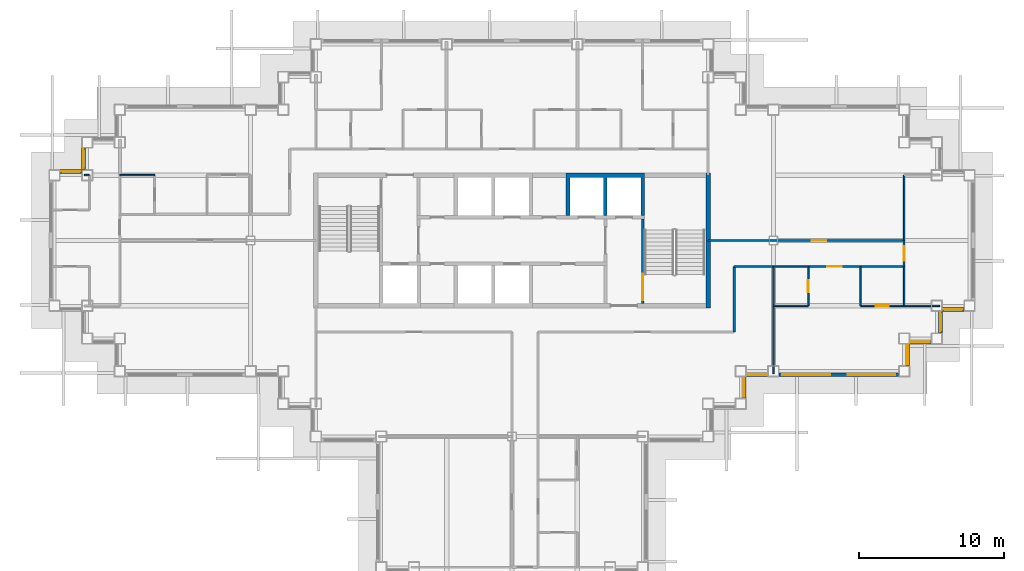
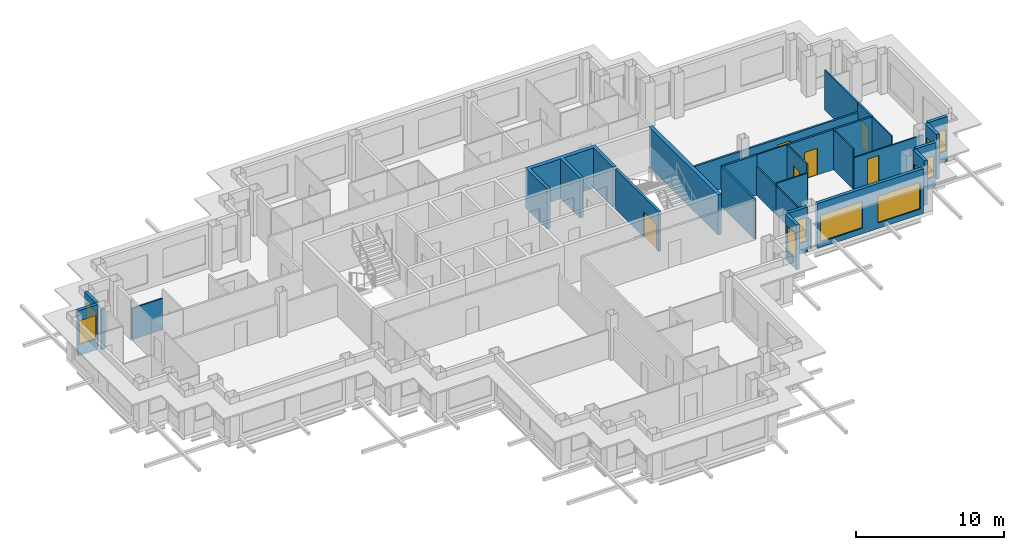
# One storey, part 6 of 14: 28 walls, 10 windows, 6 doors, 16 openings.
"""IFC4 building model written with IfcOpenShell, lengths in metres."""

from ifc_helpers import new_model, si_unit, direction, frame, frame_2d, origin, place, context, subcontext, project, spatial, polyline, rectangle, outline, extrude, material, layer, layer_set, type_object, element, fill, save


model = new_model("IFC4")

# Units and contexts
model_context = context("Model", 3, precision=1e-05, world=origin(), true_north=direction((0.0, 1.0)))
body_context = subcontext(model_context, "Body", "Model", "MODEL_VIEW")
ifc_project = project(units=[si_unit("LENGTHUNIT", "METRE"), si_unit("AREAUNIT", "SQUARE_METRE"), si_unit("VOLUMEUNIT", "CUBIC_METRE"), si_unit("PLANEANGLEUNIT", "RADIAN"), si_unit("MASSUNIT", "GRAM", prefix="KILO")], contexts=[model_context])

# Site, building, storey
site_placement = place(None, origin())
site = spatial("IfcSite", under=ifc_project, at=site_placement, CompositionType="ELEMENT")
building_placement = place(site_placement, origin())
building = spatial("IfcBuilding", under=site, at=building_placement, Name="Caravel Reach Hotel and Residences", CompositionType="ELEMENT")
storey_placement = place(building_placement, frame((0.0, 0.0, 183.89990234375)))
storey = spatial("IfcBuildingStorey", under=building, at=storey_placement, Name="L46", CompositionType="ELEMENT", Elevation=183.89990234375)

# Walls
ifc_material_1 = material(Name="Gypsum board on steel stud", Category="steel")
ifc_layer_1 = layer(ifc_material_1, 0.10009765625)
ifc_layer_set_1 = layer_set([ifc_layer_1], Name="Bathroom pod wall 100 mm")
wall_type_1 = type_object("IfcWallType", Name="Bathroom pod wall 100 mm", PredefinedType="PARTITIONING", material=ifc_layer_set_1)
wall_1_placement = place(storey_placement, frame((49.5, 22.5, 0.0), z_axis=(0.0, 0.0, 1.0), x_axis=(1.0, 0.0, 0.0)))
element("IfcWall", 1, at=wall_1_placement, inside=storey, type_object=wall_type_1, Name="L46 wall w072", PredefinedType="PARTITIONING", context=body_context, shape_type="SweptSolid", body=[
    extrude(rectangle(XDim=2.39990234375, YDim=0.10009765625, at=frame_2d((1.199951171875, 0.0))), origin(), (0.0, 0.0, 1.0), 2.580078125),
])
wall_2_placement = place(storey_placement, frame((49.5, 25.199951171875, 0.0), z_axis=(0.0, 0.0, 1.0), x_axis=(1.0, 0.0, 0.0)))
element("IfcWall", 2, at=wall_2_placement, inside=storey, type_object=wall_type_1, Name="L46 wall w073", PredefinedType="PARTITIONING", context=body_context, shape_type="SweptSolid", body=[
    extrude(rectangle(XDim=2.39990234375, YDim=0.10009765625, at=frame_2d((1.199951171875, 0.0))), origin(), (0.0, 0.0, 1.0), 3.300048828125),
])
wall_3_placement = place(storey_placement, frame((4.5, 31.5, 0.0), z_axis=(0.0, 0.0, 1.0), x_axis=(1.0, 0.0, 0.0)))
element("IfcWall", 3, at=wall_3_placement, inside=storey, type_object=wall_type_1, Name="L46 wall w076", PredefinedType="PARTITIONING", context=body_context, shape_type="SweptSolid", body=[
    extrude(rectangle(XDim=2.39990234375, YDim=0.10009765625, at=frame_2d((1.199951171875, 0.0))), origin(), (0.0, 0.0, 1.0), 2.580078125),
])
wall_4_placement = place(storey_placement, frame((49.5, 22.5, 0.0), z_axis=(0.0, 0.0, 1.0), x_axis=(0.0, 1.0, 0.0)))
element("IfcWall", 4, at=wall_4_placement, inside=storey, type_object=wall_type_1, Name="L46 wall w095", PredefinedType="PARTITIONING", context=body_context, shape_type="SweptSolid", body=[
    extrude(rectangle(XDim=2.698974609375, YDim=0.10009765625, at=frame_2d((1.349609375, 0.0))), origin(), (0.0, 0.0, 1.0), 2.3681640625),
])

# Wall, opening, door
wall_5_placement = place(storey_placement, frame((51.89990234375, 22.5, 0.0), z_axis=(0.0, 0.0, 1.0), x_axis=(0.0, 1.0, 0.0)))
wall_5 = element("IfcWall", 5, at=wall_5_placement, inside=storey, type_object=wall_type_1, Name="L46 wall w096", PredefinedType="PARTITIONING", context=body_context, shape_type="SweptSolid", body=[
    extrude(rectangle(XDim=2.699951171875, YDim=0.10009765625, at=frame_2d((1.35009765625, 0.0))), origin(), (0.0, 0.0, 1.0), 3.300048828125),
])
opening_1_placement = place(wall_5_placement, frame((0.949951171875, 0.0, 0.0)))
opening_1 = element("IfcOpeningElement", 6, at=opening_1_placement, cuts=wall_5, Name="Opening D46-033", PredefinedType="OPENING", context=body_context, shape_type="SweptSolid", body=[
    extrude(rectangle(XDim=0.800048828125, YDim=2.10009765625, at=frame_2d((0.39990234375, 1.050048828125))), frame((0.0, 0.06005859375, 0.0), z_axis=(0.0, -1.0, 0.0), x_axis=(1.0, 0.0, 0.0)), (0.0, 0.0, 1.0), 0.1201171875),
])
ifc_material_2 = material(Name="Timber and steel door leaf", Category="steel")
door_type_1 = type_object("IfcDoorType", Name="Bathroom door 800 x 2100", OperationType="SINGLE_SWING_LEFT", PredefinedType="DOOR", material=ifc_material_2)
door_1_placement = place(opening_1_placement, origin())
door_1 = element("IfcDoor", 7, at=door_1_placement, inside=storey, type_object=door_type_1, Name="door D46-033", OperationType="SINGLE_SWING_RIGHT", OverallHeight=2.10009765625, OverallWidth=0.800048828125, PredefinedType="DOOR", context=body_context, shape_type="SweptSolid", body=[
    extrude(rectangle(XDim=0.800048828125, YDim=2.10009765625, at=frame_2d((0.39990234375, 1.050048828125))), frame((0.0, 0.02490234375, 0.0), z_axis=(0.0, -1.0, 0.0), x_axis=(1.0, 0.0, 0.0)), (0.0, 0.0, 1.0), 0.050048828125),
])
fill(opening_1, door_1)

# Wall
ifc_material_3 = material(Name="Concrete C60", Category="concrete")
ifc_layer_2 = layer(ifc_material_3, 0.300048828125)
ifc_layer_set_2 = layer_set([ifc_layer_2], Name="Core wall 300 mm EI 120")
wall_type_2 = type_object("IfcWallType", Name="Core wall 300 mm EI 120", PredefinedType="SHEAR", material=ifc_layer_set_2)
wall_6_placement = place(storey_placement, frame((45.0, 22.35009765625, 0.0), z_axis=(0.0, 0.0, 1.0), x_axis=(0.0, 1.0, 0.0)))
element("IfcWall", 8, at=wall_6_placement, inside=storey, type_object=wall_type_2, Name="L46 core wall E", PredefinedType="SHEAR", context=body_context, shape_type="SweptSolid", body=[
    extrude(rectangle(XDim=9.2998046875, YDim=0.300048828125, at=frame_2d((4.64990234375, 0.0))), origin(), (0.0, 0.0, 1.0), 3.300048828125),
])

# Wall, opening, door
ifc_material_4 = material(Name="Gypsum board on steel stud, fire-rated", Category="steel")
ifc_layer_3 = layer(ifc_material_4, 0.14990234375)
ifc_layer_set_3 = layer_set([ifc_layer_3], Name="Corridor wall 150 mm EI 60")
wall_type_3 = type_object("IfcWallType", Name="Corridor wall 150 mm EI 60", PredefinedType="PARTITIONING", material=ifc_layer_set_3)
wall_7_placement = place(storey_placement, frame((51.89990234375, 25.199951171875, 0.0), z_axis=(0.0, 0.0, 1.0), x_axis=(1.0, 0.0, 0.0)))
wall_7 = element("IfcWall", 9, at=wall_7_placement, inside=storey, type_object=wall_type_3, Name="L46 wall w005", PredefinedType="PARTITIONING", context=body_context, shape_type="SweptSolid", body=[
    extrude(rectangle(XDim=6.60009765625, YDim=0.14990234375, at=frame_2d((3.300048828125, 0.0))), origin(), (0.0, 0.0, 1.0), 3.300048828125),
])
opening_2_placement = place(wall_7_placement, frame((1.300048828125, 0.0, 0.0)))
opening_2 = element("IfcOpeningElement", 10, at=opening_2_placement, cuts=wall_7, Name="Opening D46-032", PredefinedType="OPENING", context=body_context, shape_type="SweptSolid", body=[
    extrude(rectangle(XDim=1.0, YDim=2.199951171875, at=frame_2d((0.5, 1.10009765625))), frame((0.0, 0.0849609375, 0.0), z_axis=(0.0, -1.0, 0.0), x_axis=(1.0, 0.0, 0.0)), (0.0, 0.0, 1.0), 0.169921875),
])
ifc_material_5 = material(Name="Steel fire door leaf", Category="steel")
door_type_2 = type_object("IfcDoorType", Name="Flat entrance door 1000 x 2200 EI 60", OperationType="SINGLE_SWING_LEFT", PredefinedType="DOOR", material=ifc_material_5)
door_2_placement = place(opening_2_placement, origin())
door_2 = element("IfcDoor", 11, at=door_2_placement, inside=storey, type_object=door_type_2, Name="door D46-032", OperationType="SINGLE_SWING_RIGHT", OverallHeight=2.199951171875, OverallWidth=1.0, PredefinedType="DOOR", context=body_context, shape_type="SweptSolid", body=[
    extrude(rectangle(XDim=1.0, YDim=2.199951171875, at=frame_2d((0.5, 1.10009765625))), frame((0.0, 0.02490234375, 0.0), z_axis=(0.0, -1.0, 0.0), x_axis=(1.0, 0.0, 0.0)), (0.0, 0.0, 1.0), 0.050048828125),
])
fill(opening_2, door_2)

# Wall
wall_8_placement = place(storey_placement, frame((46.801025390625, 25.199951171875, 0.0), z_axis=(0.0, 0.0, 1.0), x_axis=(1.0, 0.0, 0.0)))
element("IfcWall", 12, at=wall_8_placement, inside=storey, type_object=wall_type_3, Name="L46 wall w007", PredefinedType="PARTITIONING", context=body_context, shape_type="SweptSolid", body=[
    extrude(rectangle(XDim=2.697998046875, YDim=0.14990234375, at=frame_2d((1.34912109375, 0.0))), origin(), (0.0, 0.0, 1.0), 3.300048828125),
])

# Wall, opening, door
wall_9_placement = place(storey_placement, frame((45.0, 27.0, 0.0), z_axis=(0.0, 0.0, 1.0), x_axis=(1.0, 0.0, 0.0)))
wall_9 = element("IfcWall", 13, at=wall_9_placement, inside=storey, type_object=wall_type_3, Name="L46 wall w009", PredefinedType="PARTITIONING", context=body_context, shape_type="SweptSolid", body=[
    extrude(rectangle(XDim=13.5, YDim=0.14990234375, at=frame_2d((6.75, 0.0))), origin(), (0.0, 0.0, 1.0), 2.580078125),
])
opening_3_placement = place(wall_9_placement, frame((7.14990234375, 0.0, 0.0)))
opening_3 = element("IfcOpeningElement", 14, at=opening_3_placement, cuts=wall_9, Name="Opening D46-031", PredefinedType="OPENING", context=body_context, shape_type="SweptSolid", body=[
    extrude(rectangle(XDim=1.0, YDim=2.10009765625, at=frame_2d((0.5, 1.050048828125))), frame((0.0, 0.0849609375, 0.0), z_axis=(0.0, -1.0, 0.0), x_axis=(1.0, 0.0, 0.0)), (0.0, 0.0, 1.0), 0.169921875),
])
ifc_material_6 = material(Name="Steel fire door leaf", Category="steel")
door_type_3 = type_object("IfcDoorType", Name="Fire door 1000 x 2100 EI 60", OperationType="SINGLE_SWING_LEFT", PredefinedType="DOOR", material=ifc_material_6)
door_3_placement = place(opening_3_placement, origin())
door_3 = element("IfcDoor", 15, at=door_3_placement, inside=storey, type_object=door_type_3, Name="door D46-031", OperationType="SINGLE_SWING_RIGHT", OverallHeight=2.10009765625, OverallWidth=1.0, PredefinedType="DOOR", context=body_context, shape_type="SweptSolid", body=[
    extrude(rectangle(XDim=1.0, YDim=2.10009765625, at=frame_2d((0.5, 1.050048828125))), frame((0.0, 0.02490234375, 0.0), z_axis=(0.0, -1.0, 0.0), x_axis=(1.0, 0.0, 0.0)), (0.0, 0.0, 1.0), 0.050048828125),
])
fill(opening_3, door_3)

# Wall
wall_10_placement = place(storey_placement, frame((46.800048828125, 20.699951171875, 0.0), z_axis=(0.0, 0.0, 1.0), x_axis=(0.0, 1.0, 0.0)))
element("IfcWall", 16, at=wall_10_placement, inside=storey, type_object=wall_type_3, Name="L46 wall w030", PredefinedType="PARTITIONING", context=body_context, shape_type="SweptSolid", body=[
    extrude(rectangle(XDim=4.4990234375, YDim=0.14990234375, at=frame_2d((2.24951171875, 0.0))), origin(), (0.0, 0.0, 1.0), 3.300048828125),
])

# Wall, opening, door
wall_11_placement = place(storey_placement, frame((58.5, 25.199951171875, 0.0), z_axis=(0.0, 0.0, 1.0), x_axis=(0.0, 1.0, 0.0)))
wall_11 = element("IfcWall", 17, at=wall_11_placement, inside=storey, type_object=wall_type_3, Name="L46 wall w031", PredefinedType="PARTITIONING", context=body_context, shape_type="SweptSolid", body=[
    extrude(rectangle(XDim=1.800048828125, YDim=0.14990234375, at=frame_2d((0.89990234375, 0.0))), origin(), (0.0, 0.0, 1.0), 3.300048828125),
])
opening_4_placement = place(wall_11_placement, frame((0.39990234375, 0.0, 0.0)))
opening_4 = element("IfcOpeningElement", 18, at=opening_4_placement, cuts=wall_11, Name="Opening D46-044", PredefinedType="OPENING", context=body_context, shape_type="SweptSolid", body=[
    extrude(rectangle(XDim=1.0, YDim=2.10009765625, at=frame_2d((0.5, 1.050048828125))), frame((0.0, 0.0849609375, 0.0), z_axis=(0.0, -1.0, 0.0), x_axis=(1.0, 0.0, 0.0)), (0.0, 0.0, 1.0), 0.169921875),
])
door_4_placement = place(opening_4_placement, origin())
door_4 = element("IfcDoor", 19, at=door_4_placement, inside=storey, type_object=door_type_3, Name="door D46-044", OperationType="SINGLE_SWING_LEFT", OverallHeight=2.10009765625, OverallWidth=1.0, PredefinedType="DOOR", context=body_context, shape_type="SweptSolid", body=[
    extrude(rectangle(XDim=1.0, YDim=2.10009765625, at=frame_2d((0.5, 1.050048828125))), frame((0.0, 0.02490234375, 0.0), z_axis=(0.0, -1.0, 0.0), x_axis=(1.0, 0.0, 0.0)), (0.0, 0.0, 1.0), 0.050048828125),
])
fill(opening_4, door_4)

# Wall, opening, window
ifc_material_7 = material(Name="Insulated rainscreen wall, aluminium cladding", Category="aluminium")
ifc_layer_4 = layer(ifc_material_7, 0.25)
ifc_layer_set_4 = layer_set([ifc_layer_4], Name="EW1 Tower rainscreen wall")
wall_type_4 = type_object("IfcWallType", Name="EW1 Tower rainscreen wall", PredefinedType="SOLIDWALL", material=ifc_layer_set_4)
wall_12_placement = place(storey_placement, frame((47.5, 16.125, 0.0), z_axis=(0.0, 0.0, 1.0), x_axis=(0.0, 1.0, 0.0)))
wall_12 = element("IfcWall", 20, at=wall_12_placement, inside=storey, type_object=wall_type_4, Name="External wall L46 E14.1", PredefinedType="SOLIDWALL", context=body_context, shape_type="SweptSolid", body=[
    extrude(rectangle(XDim=1.5, YDim=0.25, at=frame_2d((0.75, 0.0))), origin(), (0.0, 0.0, 1.0), 3.7001953125),
])
opening_5_placement = place(wall_12_placement, frame((0.10009765625, 0.0, 0.89990234375)))
opening_5 = element("IfcOpeningElement", 21, at=opening_5_placement, cuts=wall_12, Name="Opening WN17", PredefinedType="OPENING", context=body_context, shape_type="SweptSolid", body=[
    extrude(rectangle(XDim=1.300048828125, YDim=1.949951171875, at=frame_2d((0.64990234375, 0.97509765625))), frame((0.0, 0.135009765625, 0.0), z_axis=(0.0, -1.0, 0.0), x_axis=(1.0, 0.0, 0.0)), (0.0, 0.0, 1.0), 0.27001953125),
])
ifc_material_8 = material(Name="Dark low-e glazing in black aluminium frame", Category="aluminium")
window_type_1 = type_object("IfcWindowType", Name="Residence bedroom window 1300 x 1950", PartitioningType="SINGLE_PANEL", PredefinedType="WINDOW", material=ifc_material_8)
window_1_placement = place(opening_5_placement, origin())
window_1 = element("IfcWindow", 22, at=window_1_placement, inside=storey, type_object=window_type_1, Name="Window L46 E14.1.1", OverallHeight=1.949951171875, OverallWidth=1.300048828125, PartitioningType="SINGLE_PANEL", PredefinedType="WINDOW", context=body_context, shape_type="SweptSolid", body=[
    extrude(rectangle(XDim=1.300048828125, YDim=1.949951171875, at=frame_2d((0.64990234375, 0.97509765625))), frame((0.0, 0.030029296875, 0.0), z_axis=(0.0, -1.0, 0.0), x_axis=(1.0, 0.0, 0.0)), (0.0, 0.0, 1.0), 0.06005859375),
])
fill(opening_5, window_1)

wall_13_placement = place(storey_placement, frame((47.625, 17.75, 0.0), z_axis=(0.0, 0.0, 1.0), x_axis=(1.0, 0.0, 0.0)))
wall_13 = element("IfcWall", 23, at=wall_13_placement, inside=storey, type_object=wall_type_4, Name="External wall L46 S15.1", PredefinedType="SOLIDWALL", context=body_context, shape_type="SweptSolid", body=[
    extrude(rectangle(XDim=1.5, YDim=0.25, at=frame_2d((0.75, 0.0))), origin(), (0.0, 0.0, 1.0), 3.7001953125),
])
opening_6_placement = place(wall_13_placement, frame((0.10009765625, 0.0, 0.89990234375)))
opening_6 = element("IfcOpeningElement", 24, at=opening_6_placement, cuts=wall_13, Name="Opening WN17", PredefinedType="OPENING", context=body_context, shape_type="SweptSolid", body=[
    extrude(rectangle(XDim=1.300048828125, YDim=1.949951171875, at=frame_2d((0.64990234375, 0.97509765625))), frame((0.0, 0.135009765625, 0.0), z_axis=(0.0, -1.0, 0.0), x_axis=(1.0, 0.0, 0.0)), (0.0, 0.0, 1.0), 0.27001953125),
])
window_2_placement = place(opening_6_placement, origin())
window_2 = element("IfcWindow", 25, at=window_2_placement, inside=storey, type_object=window_type_1, Name="Window L46 S15.1.1", OverallHeight=1.949951171875, OverallWidth=1.300048828125, PartitioningType="SINGLE_PANEL", PredefinedType="WINDOW", context=body_context, shape_type="SweptSolid", body=[
    extrude(rectangle(XDim=1.300048828125, YDim=1.949951171875, at=frame_2d((0.64990234375, 0.97509765625))), frame((0.0, 0.030029296875, 0.0), z_axis=(0.0, -1.0, 0.0), x_axis=(1.0, 0.0, 0.0)), (0.0, 0.0, 1.0), 0.06005859375),
])
fill(opening_6, window_2)

# Wall, openings, windows
wall_14_placement = place(storey_placement, frame((49.875, 17.75, 0.0), z_axis=(0.0, 0.0, 1.0), x_axis=(1.0, 0.0, 0.0)))
wall_14 = element("IfcWall", 26, at=wall_14_placement, inside=storey, type_object=wall_type_4, Name="External wall L46 S15.2", PredefinedType="SOLIDWALL", context=body_context, shape_type="SweptSolid", body=[
    extrude(rectangle(XDim=8.25, YDim=0.25, at=frame_2d((4.125, 0.0))), origin(), (0.0, 0.0, 1.0), 3.7001953125),
])
opening_7_placement = place(wall_14_placement, frame((0.22509765625, 0.0, 0.449951171875)))
opening_7 = element("IfcOpeningElement", 27, at=opening_7_placement, cuts=wall_14, Name="Opening WN19", PredefinedType="OPENING", context=body_context, shape_type="SweptSolid", body=[
    extrude(rectangle(XDim=3.300048828125, YDim=2.199951171875, at=frame_2d((1.64990234375, 1.10009765625))), frame((0.0, 0.135009765625, 0.0), z_axis=(0.0, -1.0, 0.0), x_axis=(1.0, 0.0, 0.0)), (0.0, 0.0, 1.0), 0.27001953125),
])
opening_8_placement = place(wall_14_placement, frame((4.72509765625, 0.0, 0.449951171875)))
opening_8 = element("IfcOpeningElement", 28, at=opening_8_placement, cuts=wall_14, Name="Opening WN19", PredefinedType="OPENING", context=body_context, shape_type="SweptSolid", body=[
    extrude(rectangle(XDim=3.300048828125, YDim=2.199951171875, at=frame_2d((1.64990234375, 1.10009765625))), frame((0.0, 0.135009765625, 0.0), z_axis=(0.0, -1.0, 0.0), x_axis=(1.0, 0.0, 0.0)), (0.0, 0.0, 1.0), 0.27001953125),
])
ifc_material_9 = material(Name="Dark low-e glazing in black aluminium frame", Category="aluminium")
window_type_2 = type_object("IfcWindowType", Name="Residence living window 3300 x 2200", PartitioningType="SINGLE_PANEL", PredefinedType="WINDOW", material=ifc_material_9)
window_3_placement = place(opening_7_placement, origin())
window_3 = element("IfcWindow", 29, at=window_3_placement, inside=storey, type_object=window_type_2, Name="Window L46 S15.2.1", OverallHeight=2.199951171875, OverallWidth=3.300048828125, PartitioningType="SINGLE_PANEL", PredefinedType="WINDOW", context=body_context, shape_type="SweptSolid", body=[
    extrude(rectangle(XDim=3.300048828125, YDim=2.199951171875, at=frame_2d((1.64990234375, 1.10009765625))), frame((0.0, 0.030029296875, 0.0), z_axis=(0.0, -1.0, 0.0), x_axis=(1.0, 0.0, 0.0)), (0.0, 0.0, 1.0), 0.06005859375),
])
fill(opening_7, window_3)
window_4_placement = place(opening_8_placement, origin())
window_4 = element("IfcWindow", 30, at=window_4_placement, inside=storey, type_object=window_type_2, Name="Window L46 S15.2.2", OverallHeight=2.199951171875, OverallWidth=3.300048828125, PartitioningType="SINGLE_PANEL", PredefinedType="WINDOW", context=body_context, shape_type="SweptSolid", body=[
    extrude(rectangle(XDim=3.300048828125, YDim=2.199951171875, at=frame_2d((1.64990234375, 1.10009765625))), frame((0.0, 0.030029296875, 0.0), z_axis=(0.0, -1.0, 0.0), x_axis=(1.0, 0.0, 0.0)), (0.0, 0.0, 1.0), 0.06005859375),
])
fill(opening_8, window_4)

# Wall, opening, window
wall_15_placement = place(storey_placement, frame((58.75, 18.375, 0.0), z_axis=(0.0, 0.0, 1.0), x_axis=(0.0, 1.0, 0.0)))
wall_15 = element("IfcWall", 31, at=wall_15_placement, inside=storey, type_object=wall_type_4, Name="External wall L46 E16.1", PredefinedType="SOLIDWALL", context=body_context, shape_type="SweptSolid", body=[
    extrude(rectangle(XDim=1.5, YDim=0.25, at=frame_2d((0.75, 0.0))), origin(), (0.0, 0.0, 1.0), 3.7001953125),
])
opening_9_placement = place(wall_15_placement, frame((0.10009765625, 0.0, 0.89990234375)))
opening_9 = element("IfcOpeningElement", 32, at=opening_9_placement, cuts=wall_15, Name="Opening WN20", PredefinedType="OPENING", context=body_context, shape_type="SweptSolid", body=[
    extrude(rectangle(XDim=1.300048828125, YDim=1.75, at=frame_2d((0.64990234375, 0.875))), frame((0.0, 0.135009765625, 0.0), z_axis=(0.0, -1.0, 0.0), x_axis=(1.0, 0.0, 0.0)), (0.0, 0.0, 1.0), 0.27001953125),
])
ifc_material_10 = material(Name="Dark low-e glazing in black aluminium frame", Category="aluminium")
window_type_3 = type_object("IfcWindowType", Name="Residence bedroom window 1300 x 1750", PartitioningType="SINGLE_PANEL", PredefinedType="WINDOW", material=ifc_material_10)
window_5_placement = place(opening_9_placement, origin())
window_5 = element("IfcWindow", 33, at=window_5_placement, inside=storey, type_object=window_type_3, Name="Window L46 E16.1.1", OverallHeight=1.75, OverallWidth=1.300048828125, PartitioningType="SINGLE_PANEL", PredefinedType="WINDOW", context=body_context, shape_type="SweptSolid", body=[
    extrude(rectangle(XDim=1.300048828125, YDim=1.75, at=frame_2d((0.64990234375, 0.875))), frame((0.0, 0.030029296875, 0.0), z_axis=(0.0, -1.0, 0.0), x_axis=(1.0, 0.0, 0.0)), (0.0, 0.0, 1.0), 0.06005859375),
])
fill(opening_9, window_5)

wall_16_placement = place(storey_placement, frame((58.875, 20.0, 0.0), z_axis=(0.0, 0.0, 1.0), x_axis=(1.0, 0.0, 0.0)))
wall_16 = element("IfcWall", 34, at=wall_16_placement, inside=storey, type_object=wall_type_4, Name="External wall L46 S17.1", PredefinedType="SOLIDWALL", context=body_context, shape_type="SweptSolid", body=[
    extrude(rectangle(XDim=1.5, YDim=0.25, at=frame_2d((0.75, 0.0))), origin(), (0.0, 0.0, 1.0), 3.7001953125),
])
opening_10_placement = place(wall_16_placement, frame((0.10009765625, 0.0, 0.89990234375)))
opening_10 = element("IfcOpeningElement", 35, at=opening_10_placement, cuts=wall_16, Name="Opening WN20", PredefinedType="OPENING", context=body_context, shape_type="SweptSolid", body=[
    extrude(rectangle(XDim=1.300048828125, YDim=1.75, at=frame_2d((0.64990234375, 0.875))), frame((0.0, 0.135009765625, 0.0), z_axis=(0.0, -1.0, 0.0), x_axis=(1.0, 0.0, 0.0)), (0.0, 0.0, 1.0), 0.27001953125),
])
window_6_placement = place(opening_10_placement, origin())
window_6 = element("IfcWindow", 36, at=window_6_placement, inside=storey, type_object=window_type_3, Name="Window L46 S17.1.1", OverallHeight=1.75, OverallWidth=1.300048828125, PartitioningType="SINGLE_PANEL", PredefinedType="WINDOW", context=body_context, shape_type="SweptSolid", body=[
    extrude(rectangle(XDim=1.300048828125, YDim=1.75, at=frame_2d((0.64990234375, 0.875))), frame((0.0, 0.030029296875, 0.0), z_axis=(0.0, -1.0, 0.0), x_axis=(1.0, 0.0, 0.0)), (0.0, 0.0, 1.0), 0.06005859375),
])
fill(opening_10, window_6)

wall_17_placement = place(storey_placement, frame((61.0, 20.625, 0.0), z_axis=(0.0, 0.0, 1.0), x_axis=(0.0, 1.0, 0.0)))
wall_17 = element("IfcWall", 37, at=wall_17_placement, inside=storey, type_object=wall_type_4, Name="External wall L46 E18.1", PredefinedType="SOLIDWALL", context=body_context, shape_type="SweptSolid", body=[
    extrude(rectangle(XDim=1.5, YDim=0.25, at=frame_2d((0.75, 0.0))), origin(), (0.0, 0.0, 1.0), 3.7001953125),
])
opening_11_placement = place(wall_17_placement, frame((0.10009765625, 0.0, 0.89990234375)))
opening_11 = element("IfcOpeningElement", 38, at=opening_11_placement, cuts=wall_17, Name="Opening WN20", PredefinedType="OPENING", context=body_context, shape_type="SweptSolid", body=[
    extrude(rectangle(XDim=1.300048828125, YDim=1.75, at=frame_2d((0.64990234375, 0.875))), frame((0.0, 0.135009765625, 0.0), z_axis=(0.0, -1.0, 0.0), x_axis=(1.0, 0.0, 0.0)), (0.0, 0.0, 1.0), 0.27001953125),
])
window_7_placement = place(opening_11_placement, origin())
window_7 = element("IfcWindow", 39, at=window_7_placement, inside=storey, type_object=window_type_3, Name="Window L46 E18.1.1", OverallHeight=1.75, OverallWidth=1.300048828125, PartitioningType="SINGLE_PANEL", PredefinedType="WINDOW", context=body_context, shape_type="SweptSolid", body=[
    extrude(rectangle(XDim=1.300048828125, YDim=1.75, at=frame_2d((0.64990234375, 0.875))), frame((0.0, 0.030029296875, 0.0), z_axis=(0.0, -1.0, 0.0), x_axis=(1.0, 0.0, 0.0)), (0.0, 0.0, 1.0), 0.06005859375),
])
fill(opening_11, window_7)

wall_18_placement = place(storey_placement, frame((61.125, 22.25, 0.0), z_axis=(0.0, 0.0, 1.0), x_axis=(1.0, 0.0, 0.0)))
wall_18 = element("IfcWall", 40, at=wall_18_placement, inside=storey, type_object=wall_type_4, Name="External wall L46 S19.1", PredefinedType="SOLIDWALL", context=body_context, shape_type="SweptSolid", body=[
    extrude(rectangle(XDim=1.5, YDim=0.25, at=frame_2d((0.75, 0.0))), origin(), (0.0, 0.0, 1.0), 3.7001953125),
])
opening_12_placement = place(wall_18_placement, frame((0.10009765625, 0.0, 0.89990234375)))
opening_12 = element("IfcOpeningElement", 41, at=opening_12_placement, cuts=wall_18, Name="Opening WN20", PredefinedType="OPENING", context=body_context, shape_type="SweptSolid", body=[
    extrude(rectangle(XDim=1.300048828125, YDim=1.75, at=frame_2d((0.64990234375, 0.875))), frame((0.0, 0.135009765625, 0.0), z_axis=(0.0, -1.0, 0.0), x_axis=(1.0, 0.0, 0.0)), (0.0, 0.0, 1.0), 0.27001953125),
])
window_8_placement = place(opening_12_placement, origin())
window_8 = element("IfcWindow", 42, at=window_8_placement, inside=storey, type_object=window_type_3, Name="Window L46 S19.1.1", OverallHeight=1.75, OverallWidth=1.300048828125, PartitioningType="SINGLE_PANEL", PredefinedType="WINDOW", context=body_context, shape_type="SweptSolid", body=[
    extrude(rectangle(XDim=1.300048828125, YDim=1.75, at=frame_2d((0.64990234375, 0.875))), frame((0.0, 0.030029296875, 0.0), z_axis=(0.0, -1.0, 0.0), x_axis=(1.0, 0.0, 0.0)), (0.0, 0.0, 1.0), 0.06005859375),
])
fill(opening_12, window_8)

wall_19_placement = place(storey_placement, frame((2.0, 33.375, 0.0), z_axis=(0.0, 0.0, 1.0), x_axis=(0.0, -1.0, 0.0)))
wall_19 = element("IfcWall", 43, at=wall_19_placement, inside=storey, type_object=wall_type_4, Name="External wall L46 W36.1", PredefinedType="SOLIDWALL", context=body_context, shape_type="SweptSolid", body=[
    extrude(rectangle(XDim=1.5, YDim=0.25, at=frame_2d((0.75, 0.0))), origin(), (0.0, 0.0, 1.0), 3.7001953125),
])
opening_13_placement = place(wall_19_placement, frame((0.10009765625, 0.0, 0.89990234375)))
opening_13 = element("IfcOpeningElement", 44, at=opening_13_placement, cuts=wall_19, Name="Opening WN17", PredefinedType="OPENING", context=body_context, shape_type="SweptSolid", body=[
    extrude(rectangle(XDim=1.300048828125, YDim=1.949951171875, at=frame_2d((0.64990234375, 0.97509765625))), frame((0.0, 0.135009765625, 0.0), z_axis=(0.0, -1.0, 0.0), x_axis=(1.0, 0.0, 0.0)), (0.0, 0.0, 1.0), 0.27001953125),
])
window_9_placement = place(opening_13_placement, origin())
window_9 = element("IfcWindow", 45, at=window_9_placement, inside=storey, type_object=window_type_1, Name="Window L46 W36.1.1", OverallHeight=1.949951171875, OverallWidth=1.300048828125, PartitioningType="SINGLE_PANEL", PredefinedType="WINDOW", context=body_context, shape_type="SweptSolid", body=[
    extrude(rectangle(XDim=1.300048828125, YDim=1.949951171875, at=frame_2d((0.64990234375, 0.97509765625))), frame((0.0, 0.030029296875, 0.0), z_axis=(0.0, -1.0, 0.0), x_axis=(1.0, 0.0, 0.0)), (0.0, 0.0, 1.0), 0.06005859375),
])
fill(opening_13, window_9)

wall_20_placement = place(storey_placement, frame((1.875, 31.75, 0.0), z_axis=(0.0, 0.0, 1.0), x_axis=(-1.0, 0.0, 0.0)))
wall_20 = element("IfcWall", 46, at=wall_20_placement, inside=storey, type_object=wall_type_4, Name="External wall L46 N37.1", PredefinedType="SOLIDWALL", context=body_context, shape_type="SweptSolid", body=[
    extrude(rectangle(XDim=1.5, YDim=0.25, at=frame_2d((0.75, 0.0))), origin(), (0.0, 0.0, 1.0), 3.7001953125),
])
opening_14_placement = place(wall_20_placement, frame((0.10009765625, 0.0, 0.89990234375)))
opening_14 = element("IfcOpeningElement", 47, at=opening_14_placement, cuts=wall_20, Name="Opening WN17", PredefinedType="OPENING", context=body_context, shape_type="SweptSolid", body=[
    extrude(rectangle(XDim=1.300048828125, YDim=1.949951171875, at=frame_2d((0.64990234375, 0.97509765625))), frame((0.0, 0.135009765625, 0.0), z_axis=(0.0, -1.0, 0.0), x_axis=(1.0, 0.0, 0.0)), (0.0, 0.0, 1.0), 0.27001953125),
])
window_10_placement = place(opening_14_placement, origin())
window_10 = element("IfcWindow", 48, at=window_10_placement, inside=storey, type_object=window_type_1, Name="Window L46 N37.1.1", OverallHeight=1.949951171875, OverallWidth=1.300048828125, PartitioningType="SINGLE_PANEL", PredefinedType="WINDOW", context=body_context, shape_type="SweptSolid", body=[
    extrude(rectangle(XDim=1.300048828125, YDim=1.949951171875, at=frame_2d((0.64990234375, 0.97509765625))), frame((0.0, 0.030029296875, 0.0), z_axis=(0.0, -1.0, 0.0), x_axis=(1.0, 0.0, 0.0)), (0.0, 0.0, 1.0), 0.06005859375),
])
fill(opening_14, window_10)

# Wall, opening, door
ifc_material_11 = material(Name="Gypsum board on steel stud", Category="steel")
ifc_layer_5 = layer(ifc_material_11, 0.10009765625)
ifc_layer_set_5 = layer_set([ifc_layer_5], Name="Partition 100 mm")
wall_type_5 = type_object("IfcWallType", Name="Partition 100 mm", PredefinedType="PARTITIONING", material=ifc_layer_set_5)
wall_21_placement = place(storey_placement, frame((55.5, 22.5, 0.0), z_axis=(0.0, 0.0, 1.0), x_axis=(1.0, 0.0, 0.0)))
wall_21 = element("IfcWall", 49, at=wall_21_placement, inside=storey, type_object=wall_type_5, Name="L46 wall w037", PredefinedType="PARTITIONING", context=body_context, shape_type="SweptSolid", body=[
    extrude(rectangle(XDim=5.43994140625, YDim=0.10009765625, at=frame_2d((2.719970703125, 0.0))), origin(), (0.0, 0.0, 1.0), 2.580078125),
])
opening_15_placement = place(wall_21_placement, frame((1.050048828125, 0.0, 0.0)))
opening_15 = element("IfcOpeningElement", 50, at=opening_15_placement, cuts=wall_21, Name="Opening D46-034", PredefinedType="OPENING", context=body_context, shape_type="SweptSolid", body=[
    extrude(rectangle(XDim=0.89990234375, YDim=2.10009765625, at=frame_2d((0.449951171875, 1.050048828125))), frame((0.0, 0.06005859375, 0.0), z_axis=(0.0, -1.0, 0.0), x_axis=(1.0, 0.0, 0.0)), (0.0, 0.0, 1.0), 0.1201171875),
])
ifc_material_12 = material(Name="Timber and steel door leaf", Category="steel")
door_type_4 = type_object("IfcDoorType", Name="Door 900 x 2100 timber", OperationType="SINGLE_SWING_LEFT", PredefinedType="DOOR", material=ifc_material_12)
door_5_placement = place(opening_15_placement, origin())
door_5 = element("IfcDoor", 51, at=door_5_placement, inside=storey, type_object=door_type_4, Name="door D46-034", OperationType="SINGLE_SWING_LEFT", OverallHeight=2.10009765625, OverallWidth=0.89990234375, PredefinedType="DOOR", context=body_context, shape_type="SweptSolid", body=[
    extrude(rectangle(XDim=0.89990234375, YDim=2.10009765625, at=frame_2d((0.449951171875, 1.050048828125))), frame((0.0, 0.02490234375, 0.0), z_axis=(0.0, -1.0, 0.0), x_axis=(1.0, 0.0, 0.0)), (0.0, 0.0, 1.0), 0.050048828125),
])
fill(opening_15, door_5)

# Walls
wall_22_placement = place(storey_placement, frame((2.06005859375, 31.5, 0.0), z_axis=(0.0, 0.0, 1.0), x_axis=(1.0, 0.0, 0.0)))
element("IfcWall", 52, at=wall_22_placement, inside=storey, type_object=wall_type_5, Name="L46 wall w042", PredefinedType="PARTITIONING", context=body_context, shape_type="SweptSolid", body=[
    extrude(rectangle(XDim=0.33984375, YDim=0.10009765625, at=frame_2d((0.169921875, 0.0))), origin(), (0.0, 0.0, 1.0), 3.300048828125),
])
wall_23_placement = place(storey_placement, frame((49.5, 17.81005859375, 0.0), z_axis=(0.0, 0.0, 1.0), x_axis=(0.0, 1.0, 0.0)))
element("IfcWall", 53, at=wall_23_placement, inside=storey, type_object=wall_type_5, Name="L46 wall w063", PredefinedType="PARTITIONING", context=body_context, shape_type="SweptSolid", body=[
    extrude(rectangle(XDim=4.68994140625, YDim=0.10009765625, at=frame_2d((2.344970703125, 0.0))), origin(), (0.0, 0.0, 1.0), 2.3681640625),
])
wall_24_placement = place(storey_placement, frame((55.5, 22.5, 0.0), z_axis=(0.0, 0.0, 1.0), x_axis=(0.0, 1.0, 0.0)))
element("IfcWall", 54, at=wall_24_placement, inside=storey, type_object=wall_type_5, Name="L46 wall w064", PredefinedType="PARTITIONING", context=body_context, shape_type="SweptSolid", body=[
    extrude(rectangle(XDim=2.699951171875, YDim=0.10009765625, at=frame_2d((1.35009765625, 0.0))), origin(), (0.0, 0.0, 1.0), 3.300048828125),
])
wall_25_placement = place(storey_placement, frame((58.5, 27.0, 0.0), z_axis=(0.0, 0.0, 1.0), x_axis=(0.0, 1.0, 0.0)))
element("IfcWall", 55, at=wall_25_placement, inside=storey, type_object=wall_type_5, Name="L46 wall w065", PredefinedType="PARTITIONING", context=body_context, shape_type="SweptSolid", body=[
    extrude(rectangle(XDim=4.5, YDim=0.10009765625, at=frame_2d((2.25, 0.0))), origin(), (0.0, 0.0, 1.0), 3.300048828125),
])
wall_26_placement = place(storey_placement, frame((58.5, 22.5, 0.0), z_axis=(0.0, 0.0, 1.0), x_axis=(0.0, 1.0, 0.0)))
element("IfcWall", 56, at=wall_26_placement, inside=storey, type_object=wall_type_5, Name="L46 wall w066", PredefinedType="PARTITIONING", context=body_context, shape_type="SweptSolid", body=[
    extrude(rectangle(XDim=2.699951171875, YDim=0.10009765625, at=frame_2d((1.35009765625, 0.0))), origin(), (0.0, 0.0, 1.0), 3.300048828125),
])
ifc_material_13 = material(Name="Concrete C60", Category="concrete")
ifc_layer_6 = layer(ifc_material_13, 0.25)
ifc_layer_set_6 = layer_set([ifc_layer_6], Name="Shaft wall 250 mm EI 120")
wall_type_6 = type_object("IfcWallType", Name="Shaft wall 250 mm EI 120", PredefinedType="SHEAR", material=ifc_layer_set_6)
wall_27_placement = place(storey_placement, origin())
element("IfcWall", 57, at=wall_27_placement, inside=storey, type_object=wall_type_6, Name="L46 lift shaft wall N2", PredefinedType="SHEAR", context=body_context, shape_type="SweptSolid", body=[
    extrude(outline(polyline([(35.232177734375, 28.72509765625), (35.482177734375, 28.72509765625), (35.482177734375, 31.35009765625), (37.803466796875, 31.35009765625), (37.803466796875, 28.72509765625), (38.053466796875, 28.72509765625), (38.053466796875, 31.35009765625), (40.375, 31.35009765625), (40.375, 28.72509765625), (40.625, 28.72509765625), (40.625, 31.64990234375), (35.232177734375, 31.64990234375), (35.232177734375, 28.72509765625)])), origin(), (0.0, 0.0, 1.0), 3.300048828125),
])

# Wall, opening, door
ifc_material_14 = material(Name="Concrete C60", Category="concrete")
ifc_layer_7 = layer(ifc_material_14, 0.199951171875)
ifc_layer_set_7 = layer_set([ifc_layer_7], Name="Stair enclosure wall 200 mm EI 120")
wall_type_7 = type_object("IfcWallType", Name="Stair enclosure wall 200 mm EI 120", PredefinedType="SHEAR", material=ifc_layer_set_7)
wall_28_placement = place(storey_placement, frame((40.5, 22.64990234375, 0.0), z_axis=(0.0, 0.0, 1.0), x_axis=(0.0, 1.0, 0.0)))
wall_28 = element("IfcWall", 58, at=wall_28_placement, inside=storey, type_object=wall_type_7, Name="L46 stair B wall", PredefinedType="SHEAR", context=body_context, shape_type="SweptSolid", body=[
    extrude(rectangle(XDim=5.8251953125, YDim=0.199951171875, at=frame_2d((2.91259765625, 0.0))), origin(), (0.0, 0.0, 1.0), 3.300048828125),
])
opening_16_placement = place(wall_28_placement, frame((0.25, 0.0, 0.0)))
opening_16 = element("IfcOpeningElement", 59, at=opening_16_placement, cuts=wall_28, Name="Opening D46-011", PredefinedType="OPENING", context=body_context, shape_type="SweptSolid", body=[
    extrude(rectangle(XDim=1.800048828125, YDim=2.10009765625, at=frame_2d((0.89990234375, 1.050048828125))), frame((0.0, 0.10986328125, 0.0), z_axis=(0.0, -1.0, 0.0), x_axis=(1.0, 0.0, 0.0)), (0.0, 0.0, 1.0), 0.219970703125),
])
ifc_material_15 = material(Name="Steel fire door leaf", Category="steel")
door_type_5 = type_object("IfcDoorType", Name="Stair door pair 1800 x 2100 EI 90", OperationType="DOUBLE_DOOR_SINGLE_SWING", PredefinedType="DOOR", material=ifc_material_15)
door_6_placement = place(opening_16_placement, origin())
door_6 = element("IfcDoor", 60, at=door_6_placement, inside=storey, type_object=door_type_5, Name="stair B door pair", OperationType="DOUBLE_DOOR_SINGLE_SWING", OverallHeight=2.10009765625, OverallWidth=1.800048828125, PredefinedType="DOOR", context=body_context, shape_type="SweptSolid", body=[
    extrude(rectangle(XDim=1.800048828125, YDim=2.10009765625, at=frame_2d((0.89990234375, 1.050048828125))), frame((0.0, 0.02490234375, 0.0), z_axis=(0.0, -1.0, 0.0), x_axis=(1.0, 0.0, 0.0)), (0.0, 0.0, 1.0), 0.050048828125),
])
fill(opening_16, door_6)

save(model, "model.ifc")
